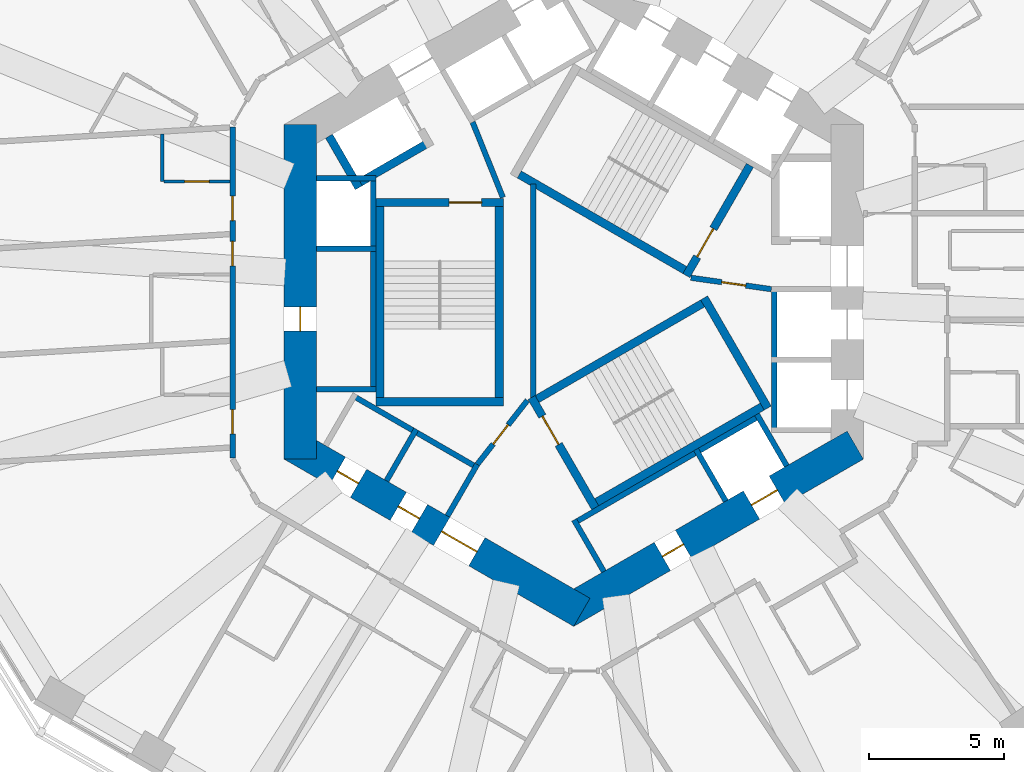
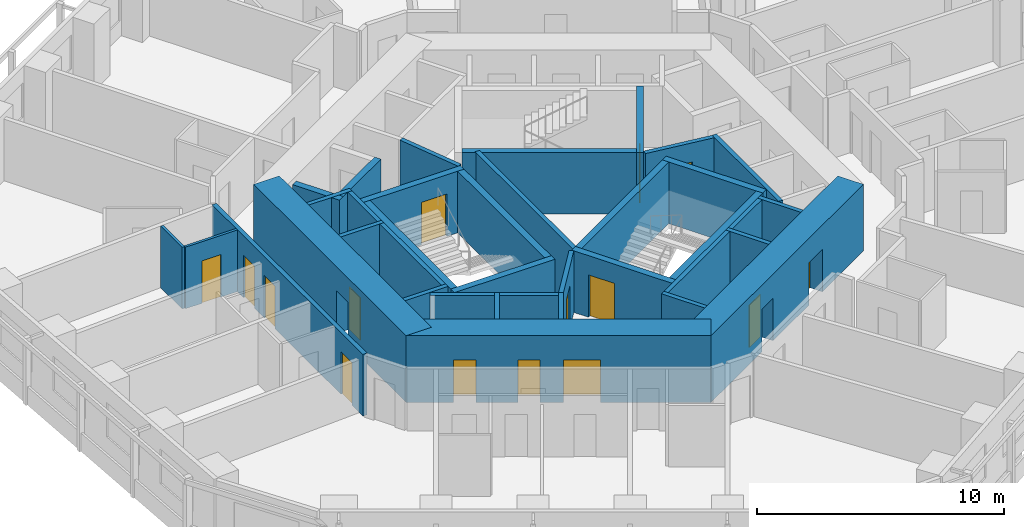
# One storey, part 5 of 12: 34 walls, 15 doors, 15 openings.
"""IFC4 building model written with IfcOpenShell, lengths in metres."""

from ifc_helpers import new_model, si_unit, direction, frame, frame_2d, origin, place, context, subcontext, project, spatial, rectangle, extrude, material, layer, layer_set, type_object, element, fill, save


model = new_model("IFC4")

# Units and contexts
model_context = context("Model", 3, precision=1e-05, world=origin(), true_north=direction((0.0, 1.0)))
body_context = subcontext(model_context, "Body", "Model", "MODEL_VIEW")
ifc_project = project(units=[si_unit("LENGTHUNIT", "METRE"), si_unit("AREAUNIT", "SQUARE_METRE"), si_unit("VOLUMEUNIT", "CUBIC_METRE"), si_unit("PLANEANGLEUNIT", "RADIAN"), si_unit("MASSUNIT", "GRAM", prefix="KILO")], contexts=[model_context])

# Site, building, storey
site_placement = place(None, origin())
site = spatial("IfcSite", under=ifc_project, at=site_placement, CompositionType="ELEMENT")
building_placement = place(site_placement, origin())
building = spatial("IfcBuilding", under=site, at=building_placement, Name="Vanh Sen Convention Tower", CompositionType="ELEMENT")
storey_placement = place(building_placement, frame((0.0, 0.0, 60.5)))
storey = spatial("IfcBuildingStorey", under=building, at=storey_placement, Name="L12", CompositionType="ELEMENT", Elevation=60.5)

# Wall
ifc_material_1 = material(Name="Moisture-resistant gypsum board on steel studs", Category="steel")
ifc_layer_1 = layer(ifc_material_1, 0.1201171875)
ifc_layer_set_1 = layer_set([ifc_layer_1], Name="Moisture-resistant gypsum board on steel studs")
wall_type_1 = type_object("IfcWallType", Name="Bathroom partition 120", PredefinedType="PARTITIONING", material=ifc_layer_set_1)
wall_1_placement = place(storey_placement, frame((-15.199951171875, 4.081298828125, 0.0), z_axis=(0.0, 0.0, 1.0), x_axis=(0.0, 1.0, 0.0)))
element("IfcWall", 1, at=wall_1_placement, inside=storey, type_object=wall_type_1, Name="Bathroom partition 120", PredefinedType="PARTITIONING", context=body_context, shape_type="SweptSolid", body=[
    extrude(rectangle(XDim=1.740966796875, YDim=0.1201171875, at=frame_2d((0.87060546875, 0.0))), origin(), (0.0, 0.0, 1.0), 3.050048828125),
])

# Wall, opening, door
wall_2_placement = place(storey_placement, frame((-12.699951171875, 4.081298828125, 0.0), z_axis=(0.0, 0.0, 1.0), x_axis=(-1.0, 0.0, 0.0)))
wall_2 = element("IfcWall", 2, at=wall_2_placement, inside=storey, type_object=wall_type_1, Name="Bathroom partition 120", PredefinedType="PARTITIONING", context=body_context, shape_type="SweptSolid", body=[
    extrude(rectangle(XDim=2.43994140625, YDim=0.1201171875, at=frame_2d((1.219970703125, 0.0))), origin(), (0.0, 0.0, 1.0), 3.050048828125),
])
opening_1_placement = place(wall_2_placement, frame((0.77001953125, 0.0, 0.0)))
opening_1 = element("IfcOpeningElement", 3, at=opening_1_placement, cuts=wall_2, Name="Opening D10121", PredefinedType="OPENING", context=body_context, shape_type="SweptSolid", body=[
    extrude(rectangle(XDim=0.89990234375, YDim=2.10009765625, at=frame_2d((0.449951171875, 1.050048828125))), frame((0.0, 0.070068359375, 0.0), z_axis=(0.0, -1.0, 0.0), x_axis=(1.0, 0.0, 0.0)), (0.0, 0.0, 1.0), 0.14013671875),
])
ifc_material_2 = material(Name="Laminate door in steel frame", Category="steel")
door_type_1 = type_object("IfcDoorType", Name="En-suite door 900", OperationType="SINGLE_SWING_LEFT", PredefinedType="DOOR", material=ifc_material_2)
door_1_placement = place(opening_1_placement, origin())
door_1 = element("IfcDoor", 4, at=door_1_placement, inside=storey, type_object=door_type_1, Name="En-suite door D10121", OperationType="SINGLE_SWING_LEFT", OverallHeight=2.10009765625, OverallWidth=0.89990234375, PredefinedType="DOOR", context=body_context, shape_type="SweptSolid", body=[
    extrude(rectangle(XDim=0.89990234375, YDim=2.10009765625, at=frame_2d((0.449951171875, 1.050048828125))), frame((0.0, 0.02490234375, 0.0), z_axis=(0.0, -1.0, 0.0), x_axis=(1.0, 0.0, 0.0)), (0.0, 0.0, 1.0), 0.050048828125),
])
fill(opening_1, door_1)

ifc_material_3 = material(Name="Concrete C80/95", Category="concrete")
ifc_layer_2 = layer(ifc_material_3, 1.199951171875)
ifc_layer_set_2 = layer_set([ifc_layer_2], Name="Concrete C80/95")
wall_type_2 = type_object("IfcWallType", Name="Core outer wall 1200 C80/95", PredefinedType="SHEAR", material=ifc_layer_set_2)
wall_3_placement = place(storey_placement, frame((-10.10009765625, 6.177490234375, 0.0), z_axis=(0.0, 0.0, 1.0), x_axis=(0.0, -1.0, 0.0)))
wall_3 = element("IfcWall", 5, at=wall_3_placement, inside=storey, type_object=wall_type_2, Name="Core wall face W L12", PredefinedType="SHEAR", context=body_context, shape_type="SweptSolid", body=[
    extrude(rectangle(XDim=12.35498046875, YDim=1.199951171875, at=frame_2d((6.177490234375, 0.0))), origin(), (0.0, 0.0, 1.0), 3.300048828125),
])
opening_2_placement = place(wall_3_placement, frame((6.7275390625, 0.0, 0.0)))
opening_2 = element("IfcOpeningElement", 6, at=opening_2_placement, cuts=wall_3, Name="Opening D10009", PredefinedType="OPENING", context=body_context, shape_type="SweptSolid", body=[
    extrude(rectangle(XDim=0.89990234375, YDim=2.10009765625, at=frame_2d((0.449951171875, 1.050048828125))), frame((0.0, 0.60986328125, 0.0), z_axis=(0.0, -1.0, 0.0), x_axis=(1.0, 0.0, 0.0)), (0.0, 0.0, 1.0), 1.219970703125),
])
ifc_material_4 = material(Name="Steel S355", Category="steel")
door_type_2 = type_object("IfcDoorType", Name="Plant door 900", OperationType="SINGLE_SWING_LEFT", PredefinedType="DOOR", material=ifc_material_4)
door_2_placement = place(opening_2_placement, origin())
door_2 = element("IfcDoor", 7, at=door_2_placement, inside=storey, type_object=door_type_2, Name="Plant door D10009", OperationType="SINGLE_SWING_LEFT", OverallHeight=2.10009765625, OverallWidth=0.89990234375, PredefinedType="DOOR", context=body_context, shape_type="SweptSolid", body=[
    extrude(rectangle(XDim=0.89990234375, YDim=2.10009765625, at=frame_2d((0.449951171875, 1.050048828125))), frame((0.0, 0.02490234375, 0.0), z_axis=(0.0, -1.0, 0.0), x_axis=(1.0, 0.0, 0.0)), (0.0, 0.0, 1.0), 0.050048828125),
])
fill(opening_2, door_2)

# Wall, openings, doors
wall_4_placement = place(storey_placement, frame((-10.39990234375, -5.657958984375, 0.0), z_axis=(0.0, 0.0, 1.0), x_axis=(0.866021384402, -0.500006961711, 0.0)))
wall_4 = element("IfcWall", 8, at=wall_4_placement, inside=storey, type_object=wall_type_2, Name="Core wall face SW L12", PredefinedType="SHEAR", context=body_context, shape_type="SweptSolid", body=[
    extrude(rectangle(XDim=12.355224609375, YDim=1.199951171875, at=frame_2d((6.177734375, 0.0))), origin(), (0.0, 0.0, 1.0), 3.300048828125),
])
opening_3_placement = place(wall_4_placement, frame((6.377685546875, 0.0, 0.0)))
opening_3 = element("IfcOpeningElement", 9, at=opening_3_placement, cuts=wall_4, Name="Opening D10003", PredefinedType="OPENING", context=body_context, shape_type="SweptSolid", body=[
    extrude(rectangle(XDim=1.5, YDim=2.10009765625, at=frame_2d((0.75, 1.050048828125))), frame((0.0, 0.60986328125, 0.0), z_axis=(0.0, -1.0, 0.0), x_axis=(1.0, 0.0, 0.0)), (0.0, 0.0, 1.0), 1.219970703125),
])
opening_4_placement = place(wall_4_placement, frame((1.927734375, 0.0, 0.0)))
opening_4 = element("IfcOpeningElement", 10, at=opening_4_placement, cuts=wall_4, Name="Opening D10010", PredefinedType="OPENING", context=body_context, shape_type="SweptSolid", body=[
    extrude(rectangle(XDim=0.89990234375, YDim=2.10009765625, at=frame_2d((0.449951171875, 1.050048828125))), frame((0.0, 0.60986328125, 0.0), z_axis=(0.0, -1.0, 0.0), x_axis=(1.0, 0.0, 0.0)), (0.0, 0.0, 1.0), 1.219970703125),
])
opening_5_placement = place(wall_4_placement, frame((4.527587890625, 0.0, 0.0)))
opening_5 = element("IfcOpeningElement", 11, at=opening_5_placement, cuts=wall_4, Name="Opening D10011", PredefinedType="OPENING", context=body_context, shape_type="SweptSolid", body=[
    extrude(rectangle(XDim=0.89990234375, YDim=2.10009765625, at=frame_2d((0.449951171875, 1.050048828125))), frame((0.0, 0.60986328125, 0.0), z_axis=(0.0, -1.0, 0.0), x_axis=(1.0, 0.0, 0.0)), (0.0, 0.0, 1.0), 1.219970703125),
])
door_3_placement = place(opening_4_placement, origin())
door_3 = element("IfcDoor", 12, at=door_3_placement, inside=storey, type_object=door_type_2, Name="Plant door D10010", OperationType="SINGLE_SWING_LEFT", OverallHeight=2.10009765625, OverallWidth=0.89990234375, PredefinedType="DOOR", context=body_context, shape_type="SweptSolid", body=[
    extrude(rectangle(XDim=0.89990234375, YDim=2.10009765625, at=frame_2d((0.449951171875, 1.050048828125))), frame((0.0, 0.02490234375, 0.0), z_axis=(0.0, -1.0, 0.0), x_axis=(1.0, 0.0, 0.0)), (0.0, 0.0, 1.0), 0.050048828125),
])
fill(opening_4, door_3)
door_4_placement = place(opening_5_placement, origin())
door_4 = element("IfcDoor", 13, at=door_4_placement, inside=storey, type_object=door_type_2, Name="Plant door D10011", OperationType="SINGLE_SWING_LEFT", OverallHeight=2.10009765625, OverallWidth=0.89990234375, PredefinedType="DOOR", context=body_context, shape_type="SweptSolid", body=[
    extrude(rectangle(XDim=0.89990234375, YDim=2.10009765625, at=frame_2d((0.449951171875, 1.050048828125))), frame((0.0, 0.02490234375, 0.0), z_axis=(0.0, -1.0, 0.0), x_axis=(1.0, 0.0, 0.0)), (0.0, 0.0, 1.0), 0.050048828125),
])
fill(opening_5, door_4)
door_type_3 = type_object("IfcDoorType", Name="Stair lobby door 1500", OperationType="DOUBLE_DOOR_SINGLE_SWING", PredefinedType="DOOR", material=ifc_material_4)
door_5_placement = place(opening_3_placement, origin())
door_5 = element("IfcDoor", 14, at=door_5_placement, inside=storey, type_object=door_type_3, Name="Stair lobby door D10003", OperationType="DOUBLE_DOOR_SINGLE_SWING", OverallHeight=2.10009765625, OverallWidth=1.5, PredefinedType="DOOR", context=body_context, shape_type="SweptSolid", body=[
    extrude(rectangle(XDim=1.5, YDim=2.10009765625, at=frame_2d((0.75, 1.050048828125))), frame((0.0, 0.02490234375, 0.0), z_axis=(0.0, -1.0, 0.0), x_axis=(1.0, 0.0, 0.0)), (0.0, 0.0, 1.0), 0.050048828125),
])
fill(opening_3, door_5)

wall_5_placement = place(storey_placement, frame((-0.300048828125, -11.835693359375, 0.0), z_axis=(0.0, 0.0, 1.0), x_axis=(0.866021384402, 0.500006961711, 0.0)))
wall_5 = element("IfcWall", 15, at=wall_5_placement, inside=storey, type_object=wall_type_2, Name="Core wall face SE L12", PredefinedType="SHEAR", context=body_context, shape_type="SweptSolid", body=[
    extrude(rectangle(XDim=12.355224609375, YDim=1.199951171875, at=frame_2d((6.177734375, 0.0))), origin(), (0.0, 0.0, 1.0), 3.300048828125),
])
opening_6_placement = place(wall_5_placement, frame((4.127685546875, 0.0, 0.0)))
opening_6 = element("IfcOpeningElement", 16, at=opening_6_placement, cuts=wall_5, Name="Opening D10012", PredefinedType="OPENING", context=body_context, shape_type="SweptSolid", body=[
    extrude(rectangle(XDim=0.89990234375, YDim=2.10009765625, at=frame_2d((0.449951171875, 1.050048828125))), frame((0.0, 0.60986328125, 0.0), z_axis=(0.0, -1.0, 0.0), x_axis=(1.0, 0.0, 0.0)), (0.0, 0.0, 1.0), 1.219970703125),
])
opening_7_placement = place(wall_5_placement, frame((7.927734375, 0.0, 0.0)))
opening_7 = element("IfcOpeningElement", 17, at=opening_7_placement, cuts=wall_5, Name="Opening LD-SV1", PredefinedType="OPENING", context=body_context, shape_type="SweptSolid", body=[
    extrude(rectangle(XDim=1.10009765625, YDim=2.10009765625, at=frame_2d((0.550048828125, 1.050048828125))), frame((0.0, 0.60986328125, 0.0), z_axis=(0.0, -1.0, 0.0), x_axis=(1.0, 0.0, 0.0)), (0.0, 0.0, 1.0), 1.219970703125),
])
ifc_material_5 = material(Name="Stainless steel", Category="steel")
door_type_4 = type_object("IfcDoorType", Name="Lift landing door 1100", OperationType="DOUBLE_DOOR_SLIDING", PredefinedType="DOOR", material=ifc_material_5)
door_6_placement = place(opening_7_placement, origin())
door_6 = element("IfcDoor", 18, at=door_6_placement, inside=storey, type_object=door_type_4, Name="Lift SV1 landing door LD-SV1", OperationType="DOUBLE_DOOR_SLIDING", OverallHeight=2.10009765625, OverallWidth=1.10009765625, PredefinedType="DOOR", context=body_context, shape_type="SweptSolid", body=[
    extrude(rectangle(XDim=1.10009765625, YDim=2.10009765625, at=frame_2d((0.550048828125, 1.050048828125))), frame((0.0, 0.02490234375, 0.0), z_axis=(0.0, -1.0, 0.0), x_axis=(1.0, 0.0, 0.0)), (0.0, 0.0, 1.0), 0.050048828125),
])
fill(opening_7, door_6)
door_7_placement = place(opening_6_placement, origin())
door_7 = element("IfcDoor", 19, at=door_7_placement, inside=storey, type_object=door_type_2, Name="Plant door D10012", OperationType="SINGLE_SWING_LEFT", OverallHeight=2.10009765625, OverallWidth=0.89990234375, PredefinedType="DOOR", context=body_context, shape_type="SweptSolid", body=[
    extrude(rectangle(XDim=0.89990234375, YDim=2.10009765625, at=frame_2d((0.449951171875, 1.050048828125))), frame((0.0, 0.02490234375, 0.0), z_axis=(0.0, -1.0, 0.0), x_axis=(1.0, 0.0, 0.0)), (0.0, 0.0, 1.0), 0.050048828125),
])
fill(opening_6, door_7)

# Wall
ifc_material_6 = material(Name="Masonry blockwork", Category="masonry")
ifc_layer_3 = layer(ifc_material_6, 0.199951171875)
ifc_layer_set_3 = layer_set([ifc_layer_3], Name="Masonry blockwork")
wall_type_3 = type_object("IfcWallType", Name="Core partition 200", PredefinedType="PARTITIONING", material=ifc_layer_set_3)
wall_6_placement = place(storey_placement, frame((-1.5, -3.98828125, 0.0), z_axis=(0.0, 0.0, 1.0), x_axis=(0.0, 1.0, 0.0)))
element("IfcWall", 20, at=wall_6_placement, inside=storey, type_object=wall_type_3, Name="Core partition L12", PredefinedType="PARTITIONING", context=body_context, shape_type="SweptSolid", body=[
    extrude(rectangle(XDim=7.9765625, YDim=0.199951171875, at=frame_2d((3.98828125, 0.0))), origin(), (0.0, 0.0, 1.0), 3.050048828125),
])

# Wall, openings, doors
ifc_material_7 = material(Name="Gypsum board on steel studs with mineral wool", Category="steel")
ifc_layer_4 = layer(ifc_material_7, 0.199951171875)
ifc_layer_set_4 = layer_set([ifc_layer_4], Name="Gypsum board on steel studs with mineral wool")
wall_type_4 = type_object("IfcWallType", Name="Corridor partition wall 200", PredefinedType="PARTITIONING", material=ifc_layer_set_4)
wall_7_placement = place(storey_placement, frame((-12.60009765625, 6.081298828125, 0.0), z_axis=(0.0, 0.0, 1.0), x_axis=(0.0, -1.0, 0.0)))
wall_7 = element("IfcWall", 21, at=wall_7_placement, inside=storey, type_object=wall_type_4, Name="Corridor partition wall 200", PredefinedType="PARTITIONING", context=body_context, shape_type="SweptSolid", body=[
    extrude(rectangle(XDim=12.218994140625, YDim=0.199951171875, at=frame_2d((6.109375, 0.0))), origin(), (0.0, 0.0, 1.0), 3.050048828125),
])
opening_8_placement = place(wall_7_placement, frame((2.5458984375, 0.0, 0.0)))
opening_8 = element("IfcOpeningElement", 22, at=opening_8_placement, cuts=wall_7, Name="Opening D10120", PredefinedType="OPENING", context=body_context, shape_type="SweptSolid", body=[
    extrude(rectangle(XDim=0.89990234375, YDim=2.10009765625, at=frame_2d((0.449951171875, 1.050048828125))), frame((0.0, 0.10986328125, 0.0), z_axis=(0.0, -1.0, 0.0), x_axis=(1.0, 0.0, 0.0)), (0.0, 0.0, 1.0), 0.219970703125),
])
opening_9_placement = place(wall_7_placement, frame((4.216796875, 0.0, 0.0)))
opening_9 = element("IfcOpeningElement", 23, at=opening_9_placement, cuts=wall_7, Name="Opening D10122", PredefinedType="OPENING", context=body_context, shape_type="SweptSolid", body=[
    extrude(rectangle(XDim=0.89990234375, YDim=2.10009765625, at=frame_2d((0.449951171875, 1.050048828125))), frame((0.0, 0.10986328125, 0.0), z_axis=(0.0, -1.0, 0.0), x_axis=(1.0, 0.0, 0.0)), (0.0, 0.0, 1.0), 0.219970703125),
])
opening_10_placement = place(wall_7_placement, frame((10.4296875, 0.0, 0.0)))
opening_10 = element("IfcOpeningElement", 24, at=opening_10_placement, cuts=wall_7, Name="Opening D10124", PredefinedType="OPENING", context=body_context, shape_type="SweptSolid", body=[
    extrude(rectangle(XDim=0.89990234375, YDim=2.10009765625, at=frame_2d((0.449951171875, 1.050048828125))), frame((0.0, 0.10986328125, 0.0), z_axis=(0.0, -1.0, 0.0), x_axis=(1.0, 0.0, 0.0)), (0.0, 0.0, 1.0), 0.219970703125),
])
ifc_material_8 = material(Name="Timber fire door in steel frame", Category="steel")
door_type_5 = type_object("IfcDoorType", Name="Guest room door 900", OperationType="SINGLE_SWING_LEFT", PredefinedType="DOOR", material=ifc_material_8)
door_8_placement = place(opening_8_placement, origin())
door_8 = element("IfcDoor", 25, at=door_8_placement, inside=storey, type_object=door_type_5, Name="Hotel guest room door D10120", OperationType="SINGLE_SWING_LEFT", OverallHeight=2.10009765625, OverallWidth=0.89990234375, PredefinedType="DOOR", context=body_context, shape_type="SweptSolid", body=[
    extrude(rectangle(XDim=0.89990234375, YDim=2.10009765625, at=frame_2d((0.449951171875, 1.050048828125))), frame((0.0, 0.02490234375, 0.0), z_axis=(0.0, -1.0, 0.0), x_axis=(1.0, 0.0, 0.0)), (0.0, 0.0, 1.0), 0.050048828125),
])
fill(opening_8, door_8)
door_9_placement = place(opening_9_placement, origin())
door_9 = element("IfcDoor", 26, at=door_9_placement, inside=storey, type_object=door_type_5, Name="Hotel guest room door D10122", OperationType="SINGLE_SWING_LEFT", OverallHeight=2.10009765625, OverallWidth=0.89990234375, PredefinedType="DOOR", context=body_context, shape_type="SweptSolid", body=[
    extrude(rectangle(XDim=0.89990234375, YDim=2.10009765625, at=frame_2d((0.449951171875, 1.050048828125))), frame((0.0, 0.02490234375, 0.0), z_axis=(0.0, -1.0, 0.0), x_axis=(1.0, 0.0, 0.0)), (0.0, 0.0, 1.0), 0.050048828125),
])
fill(opening_9, door_9)
door_10_placement = place(opening_10_placement, origin())
door_10 = element("IfcDoor", 27, at=door_10_placement, inside=storey, type_object=door_type_5, Name="Hotel guest room door D10124", OperationType="SINGLE_SWING_LEFT", OverallHeight=2.10009765625, OverallWidth=0.89990234375, PredefinedType="DOOR", context=body_context, shape_type="SweptSolid", body=[
    extrude(rectangle(XDim=0.89990234375, YDim=2.10009765625, at=frame_2d((0.449951171875, 1.050048828125))), frame((0.0, 0.02490234375, 0.0), z_axis=(0.0, -1.0, 0.0), x_axis=(1.0, 0.0, 0.0)), (0.0, 0.0, 1.0), 0.050048828125),
])
fill(opening_10, door_10)

# Walls
ifc_material_9 = material(Name="Concrete C60/75", Category="concrete")
ifc_layer_5 = layer(ifc_material_9, 0.300048828125)
ifc_layer_set_5 = layer_set([ifc_layer_5], Name="Concrete C60/75")
wall_type_5 = type_object("IfcWallType", Name="Fire-fighting lift shaft wall 300", PredefinedType="SHEAR", material=ifc_layer_set_5)
wall_8_placement = place(storey_placement, frame((-5.240478515625, 5.576904296875, 0.0), z_axis=(0.0, 0.0, 1.0), x_axis=(-0.866014461049, -0.500018952895, 0.0)))
element("IfcWall", 28, at=wall_8_placement, inside=storey, type_object=wall_type_5, Name="Fire-fighting lift shaft wall L12", PredefinedType="SHEAR", context=body_context, shape_type="SweptSolid", body=[
    extrude(rectangle(XDim=3.349853515625, YDim=0.300048828125, at=frame_2d((1.6748046875, 0.0))), origin(), (0.0, 0.0, 1.0), 3.050048828125),
])
wall_9_placement = place(storey_placement, frame((-7.936767578125, 3.846923828125, 0.0), z_axis=(0.0, 0.0, 1.0), x_axis=(-0.50002983664, 0.866008176907, 0.0)))
element("IfcWall", 29, at=wall_9_placement, inside=storey, type_object=wall_type_5, Name="Fire-fighting lift shaft wall L12", PredefinedType="SHEAR", context=body_context, shape_type="SweptSolid", body=[
    extrude(rectangle(XDim=2.199951171875, YDim=0.300048828125, at=frame_2d((1.10009765625, 0.0))), origin(), (0.0, 0.0, 1.0), 3.050048828125),
])
ifc_material_10 = material(Name="Concrete C40/50", Category="concrete")
ifc_layer_6 = layer(ifc_material_10, 0.199951171875)
ifc_layer_set_6 = layer_set([ifc_layer_6], Name="Concrete C40/50")
wall_type_6 = type_object("IfcWallType", Name="Lift shaft wall 200", PredefinedType="PARTITIONING", material=ifc_layer_set_6)
wall_10_placement = place(storey_placement, frame((7.39990234375, -5.199951171875, 0.0), z_axis=(0.0, 0.0, 1.0), x_axis=(0.0, 1.0, 0.0)))
element("IfcWall", 30, at=wall_10_placement, inside=storey, type_object=wall_type_6, Name="Lift shaft wall L12", PredefinedType="PARTITIONING", context=body_context, shape_type="SweptSolid", body=[
    extrude(rectangle(XDim=5.39990234375, YDim=0.199951171875, at=frame_2d((2.699951171875, 0.0))), origin(), (0.0, 0.0, 1.0), 3.050048828125),
])
wall_11_placement = place(storey_placement, frame((-7.39990234375, 4.300048828125, 0.0), z_axis=(0.0, 0.0, 1.0), x_axis=(0.0, -1.0, 0.0)))
element("IfcWall", 31, at=wall_11_placement, inside=storey, type_object=wall_type_6, Name="Lift shaft wall L12", PredefinedType="PARTITIONING", context=body_context, shape_type="SweptSolid", body=[
    extrude(rectangle(XDim=8.0, YDim=0.199951171875, at=frame_2d((4.0, 0.0))), origin(), (0.0, 0.0, 1.0), 3.050048828125),
])
for number, where, z_axis, x_axis, name in (
    (32, (-7.300048828125, 4.199951171875, 0.0), (0.0, 0.0, 1.0), (-1.0, 0.0, 0.0), "Lift shaft wall L12"),
    (33, (-7.300048828125, 1.60009765625, 0.0), (0.0, 0.0, 1.0), (-1.0, 0.0, 0.0), "Lift shaft wall L12"),
    (34, (-7.300048828125, -3.60009765625, 0.0), (0.0, 0.0, 1.0), (-1.0, 0.0, 0.0), "Lift shaft wall L12"),
):
    element("IfcWall", number, at=place(storey_placement, frame(where, z_axis=z_axis, x_axis=x_axis)), inside=storey, type_object=wall_type_6, Name=name, PredefinedType="PARTITIONING", context=body_context, shape_type="SweptSolid", body=[
        extrude(rectangle(XDim=2.199951171875, YDim=0.199951171875, at=frame_2d((1.10009765625, 0.0))), origin(), (0.0, 0.0, 1.0), 3.050048828125),
    ])
wall_12_placement = place(storey_placement, frame((-8.203369140625, -3.80859375, 0.0), z_axis=(0.0, 0.0, 1.0), x_axis=(0.866028230842, -0.499995103361, 0.0)))
element("IfcWall", 35, at=wall_12_placement, inside=storey, type_object=wall_type_6, Name="Lift shaft wall L12", PredefinedType="PARTITIONING", context=body_context, shape_type="SweptSolid", body=[
    extrude(rectangle(XDim=5.39990234375, YDim=0.199951171875, at=frame_2d((2.699951171875, 0.0))), origin(), (0.0, 0.0, 1.0), 3.050048828125),
])
wall_13_placement = place(storey_placement, frame((-5.815185546875, -5.072021484375, 0.0), z_axis=(0.0, 0.0, 1.0), x_axis=(-0.499946605688, -0.86605622881, 0.0)))
element("IfcWall", 36, at=wall_13_placement, inside=storey, type_object=wall_type_6, Name="Lift shaft wall L12", PredefinedType="PARTITIONING", context=body_context, shape_type="SweptSolid", body=[
    extrude(rectangle(XDim=2.199951171875, YDim=0.199951171875, at=frame_2d((1.10009765625, 0.0))), origin(), (0.0, 0.0, 1.0), 3.050048828125),
])
wall_14_placement = place(storey_placement, frame((-3.5634765625, -6.3720703125, 0.0), z_axis=(0.0, 0.0, 1.0), x_axis=(-0.499994660107, -0.866028486751, 0.0)))
element("IfcWall", 37, at=wall_14_placement, inside=storey, type_object=wall_type_6, Name="Lift shaft wall L12", PredefinedType="PARTITIONING", context=body_context, shape_type="SweptSolid", body=[
    extrude(rectangle(XDim=2.19970703125, YDim=0.199951171875, at=frame_2d((1.099853515625, 0.0))), origin(), (0.0, 0.0, 1.0), 3.050048828125),
])
wall_15_placement = place(storey_placement, frame((-0.02392578125, -8.55859375, 0.0), z_axis=(0.0, 0.0, 1.0), x_axis=(0.866026010844, 0.49999894854, 0.0)))
element("IfcWall", 38, at=wall_15_placement, inside=storey, type_object=wall_type_6, Name="Lift shaft wall L12", PredefinedType="PARTITIONING", context=body_context, shape_type="SweptSolid", body=[
    extrude(rectangle(XDim=8.0, YDim=0.199951171875, at=frame_2d((4.0, 0.0))), origin(), (0.0, 0.0, 1.0), 3.050048828125),
])
for number, where, z_axis, x_axis, name in (
    (39, (0.0126953125, -8.422119140625, 0.0), (0.0, 0.0, 1.0), (0.500077893725, -0.86598042715, 0.0), "Lift shaft wall L12"),
    (40, (4.51611328125, -5.822021484375, 0.0), (0.0, 0.0, 1.0), (0.499946605688, -0.86605622881, 0.0), "Lift shaft wall L12"),
    (41, (6.767578125, -4.52197265625, 0.0), (0.0, 0.0, 1.0), (0.50002983664, -0.866008176907, 0.0), "Lift shaft wall L12"),
):
    element("IfcWall", number, at=place(storey_placement, frame(where, z_axis=z_axis, x_axis=x_axis)), inside=storey, type_object=wall_type_6, Name=name, PredefinedType="PARTITIONING", context=body_context, shape_type="SweptSolid", body=[
        extrude(rectangle(XDim=2.199951171875, YDim=0.199951171875, at=frame_2d((1.10009765625, 0.0))), origin(), (0.0, 0.0, 1.0), 3.050048828125),
    ])

# Wall, opening, door
ifc_layer_7 = layer(ifc_material_10, 0.199951171875)
ifc_layer_set_7 = layer_set([ifc_layer_7], Name="Concrete C40/50")
wall_type_7 = type_object("IfcWallType", Name="Stair lobby wall 200", PredefinedType="PARTITIONING", material=ifc_layer_set_7)
wall_16_placement = place(storey_placement, frame((4.327392578125, 0.52099609375, 0.0), z_axis=(0.0, 0.0, 1.0), x_axis=(0.990124376366, -0.14019172346, 0.0)))
wall_16 = element("IfcWall", 42, at=wall_16_placement, inside=storey, type_object=wall_type_7, Name="Stair lobby wall L12", PredefinedType="PARTITIONING", context=body_context, shape_type="SweptSolid", body=[
    extrude(rectangle(XDim=3.002197265625, YDim=0.199951171875, at=frame_2d((1.5009765625, 0.0))), origin(), (0.0, 0.0, 1.0), 3.050048828125),
])
opening_11_placement = place(wall_16_placement, frame((1.14990234375, 0.0, 0.0)))
opening_11 = element("IfcOpeningElement", 43, at=opening_11_placement, cuts=wall_16, Name="Opening D10007", PredefinedType="OPENING", context=body_context, shape_type="SweptSolid", body=[
    extrude(rectangle(XDim=0.89990234375, YDim=2.10009765625, at=frame_2d((0.449951171875, 1.050048828125))), frame((0.0, 0.10986328125, 0.0), z_axis=(0.0, -1.0, 0.0), x_axis=(1.0, 0.0, 0.0)), (0.0, 0.0, 1.0), 0.219970703125),
])
door_11_placement = place(opening_11_placement, origin())
door_11 = element("IfcDoor", 44, at=door_11_placement, inside=storey, type_object=door_type_2, Name="Plant door D10007", OperationType="SINGLE_SWING_LEFT", OverallHeight=2.10009765625, OverallWidth=0.89990234375, PredefinedType="DOOR", context=body_context, shape_type="SweptSolid", body=[
    extrude(rectangle(XDim=0.89990234375, YDim=2.10009765625, at=frame_2d((0.449951171875, 1.050048828125))), frame((0.0, 0.02490234375, 0.0), z_axis=(0.0, -1.0, 0.0), x_axis=(1.0, 0.0, 0.0)), (0.0, 0.0, 1.0), 0.050048828125),
])
fill(opening_11, door_11)

# Wall
wall_17_placement = place(storey_placement, frame((-2.614990234375, 3.487060546875, 0.0), z_axis=(0.0, 0.0, 1.0), x_axis=(-0.373576831041, 0.92759924068, 0.0)))
element("IfcWall", 45, at=wall_17_placement, inside=storey, type_object=wall_type_7, Name="Stair lobby wall L12", PredefinedType="PARTITIONING", context=body_context, shape_type="SweptSolid", body=[
    extrude(rectangle(XDim=3.002197265625, YDim=0.199951171875, at=frame_2d((1.5009765625, 0.0))), origin(), (0.0, 0.0, 1.0), 3.050048828125),
])

# Wall, opening, door
wall_18_placement = place(storey_placement, frame((-1.71240234375, -4.00830078125, 0.0), z_axis=(0.0, 0.0, 1.0), x_axis=(-0.616549420702, -0.787316208287, 0.0)))
wall_18 = element("IfcWall", 46, at=wall_18_placement, inside=storey, type_object=wall_type_7, Name="Stair lobby wall L12", PredefinedType="PARTITIONING", context=body_context, shape_type="SweptSolid", body=[
    extrude(rectangle(XDim=3.002197265625, YDim=0.199951171875, at=frame_2d((1.5009765625, 0.0))), origin(), (0.0, 0.0, 1.0), 3.050048828125),
])
opening_12_placement = place(wall_18_placement, frame((1.14990234375, 0.0, 0.0)))
opening_12 = element("IfcOpeningElement", 47, at=opening_12_placement, cuts=wall_18, Name="Opening D10008", PredefinedType="OPENING", context=body_context, shape_type="SweptSolid", body=[
    extrude(rectangle(XDim=0.89990234375, YDim=2.10009765625, at=frame_2d((0.449951171875, 1.050048828125))), frame((0.0, 0.10986328125, 0.0), z_axis=(0.0, -1.0, 0.0), x_axis=(1.0, 0.0, 0.0)), (0.0, 0.0, 1.0), 0.219970703125),
])
door_12_placement = place(opening_12_placement, origin())
door_12 = element("IfcDoor", 48, at=door_12_placement, inside=storey, type_object=door_type_2, Name="Plant door D10008", OperationType="SINGLE_SWING_LEFT", OverallHeight=2.10009765625, OverallWidth=0.89990234375, PredefinedType="DOOR", context=body_context, shape_type="SweptSolid", body=[
    extrude(rectangle(XDim=0.89990234375, YDim=2.10009765625, at=frame_2d((0.449951171875, 1.050048828125))), frame((0.0, 0.02490234375, 0.0), z_axis=(0.0, -1.0, 0.0), x_axis=(1.0, 0.0, 0.0)), (0.0, 0.0, 1.0), 0.050048828125),
])
fill(opening_12, door_12)

ifc_layer_8 = layer(ifc_material_9, 0.300048828125)
ifc_layer_set_8 = layer_set([ifc_layer_8], Name="Concrete C60/75")
wall_type_8 = type_object("IfcWallType", Name="Stair wall 300", PredefinedType="SHEAR", material=ifc_layer_set_8)
wall_19_placement = place(storey_placement, frame((4.157958984375, 0.601806640625, 0.0), z_axis=(0.0, 0.0, 1.0), x_axis=(0.499977259774, 0.866038532462, 0.0)))
wall_19 = element("IfcWall", 49, at=wall_19_placement, inside=storey, type_object=wall_type_8, Name="Stair wall L12", PredefinedType="SHEAR", context=body_context, shape_type="SweptSolid", body=[
    extrude(rectangle(XDim=4.699951171875, YDim=0.300048828125, at=frame_2d((2.35009765625, 0.0))), origin(), (0.0, 0.0, 1.0), 3.050048828125),
])
opening_13_placement = place(wall_19_placement, frame((0.800048828125, 0.0, 0.0)))
opening_13 = element("IfcOpeningElement", 50, at=opening_13_placement, cuts=wall_19, Name="Opening D10004", PredefinedType="OPENING", context=body_context, shape_type="SweptSolid", body=[
    extrude(rectangle(XDim=1.199951171875, YDim=2.10009765625, at=frame_2d((0.60009765625, 1.050048828125))), frame((0.0, 0.159912109375, 0.0), z_axis=(0.0, -1.0, 0.0), x_axis=(1.0, 0.0, 0.0)), (0.0, 0.0, 1.0), 0.320068359375),
])
door_type_6 = type_object("IfcDoorType", Name="Stair door 1200", OperationType="SINGLE_SWING_RIGHT", PredefinedType="DOOR", material=ifc_material_4)
door_13_placement = place(opening_13_placement, origin())
door_13 = element("IfcDoor", 51, at=door_13_placement, inside=storey, type_object=door_type_6, Name="Stair ST1 door D10004", OperationType="SINGLE_SWING_RIGHT", OverallHeight=2.10009765625, OverallWidth=1.199951171875, PredefinedType="DOOR", context=body_context, shape_type="SweptSolid", body=[
    extrude(rectangle(XDim=1.199951171875, YDim=2.10009765625, at=frame_2d((0.60009765625, 1.050048828125))), frame((0.0, 0.02490234375, 0.0), z_axis=(0.0, -1.0, 0.0), x_axis=(1.0, 0.0, 0.0)), (0.0, 0.0, 1.0), 0.050048828125),
])
fill(opening_13, door_13)

# Wall
wall_20_placement = place(storey_placement, frame((4.10302734375, 0.806640625, 0.0), z_axis=(0.0, 0.0, 1.0), x_axis=(-0.866027801685, 0.499995846692, 0.0)))
element("IfcWall", 52, at=wall_20_placement, inside=storey, type_object=wall_type_8, Name="Stair wall L12", PredefinedType="SHEAR", context=body_context, shape_type="SweptSolid", body=[
    extrude(rectangle(XDim=7.06005859375, YDim=0.300048828125, at=frame_2d((3.530029296875, 0.0))), origin(), (0.0, 0.0, 1.0), 3.050048828125),
])

# Wall, opening, door
wall_21_placement = place(storey_placement, frame((-2.60009765625, 3.300048828125, 0.0), z_axis=(0.0, 0.0, 1.0), x_axis=(-1.0, 0.0, 0.0)))
wall_21 = element("IfcWall", 53, at=wall_21_placement, inside=storey, type_object=wall_type_8, Name="Stair wall L12", PredefinedType="SHEAR", context=body_context, shape_type="SweptSolid", body=[
    extrude(rectangle(XDim=4.699951171875, YDim=0.300048828125, at=frame_2d((2.35009765625, 0.0))), origin(), (0.0, 0.0, 1.0), 3.050048828125),
])
opening_14_placement = place(wall_21_placement, frame((0.800048828125, 0.0, 0.0)))
opening_14 = element("IfcOpeningElement", 54, at=opening_14_placement, cuts=wall_21, Name="Opening D10005", PredefinedType="OPENING", context=body_context, shape_type="SweptSolid", body=[
    extrude(rectangle(XDim=1.199951171875, YDim=2.10009765625, at=frame_2d((0.60009765625, 1.050048828125))), frame((0.0, 0.159912109375, 0.0), z_axis=(0.0, -1.0, 0.0), x_axis=(1.0, 0.0, 0.0)), (0.0, 0.0, 1.0), 0.320068359375),
])
door_14_placement = place(opening_14_placement, origin())
door_14 = element("IfcDoor", 55, at=door_14_placement, inside=storey, type_object=door_type_6, Name="Stair ST2 door D10005", OperationType="SINGLE_SWING_RIGHT", OverallHeight=2.10009765625, OverallWidth=1.199951171875, PredefinedType="DOOR", context=body_context, shape_type="SweptSolid", body=[
    extrude(rectangle(XDim=1.199951171875, YDim=2.10009765625, at=frame_2d((0.60009765625, 1.050048828125))), frame((0.0, 0.02490234375, 0.0), z_axis=(0.0, -1.0, 0.0), x_axis=(1.0, 0.0, 0.0)), (0.0, 0.0, 1.0), 0.050048828125),
])
fill(opening_14, door_14)

# Walls
wall_22_placement = place(storey_placement, frame((-2.60009765625, -4.06005859375, 0.0), z_axis=(0.0, 0.0, 1.0), x_axis=(-1.0, 0.0, 0.0)))
element("IfcWall", 56, at=wall_22_placement, inside=storey, type_object=wall_type_8, Name="Stair wall L12", PredefinedType="SHEAR", context=body_context, shape_type="SweptSolid", body=[
    extrude(rectangle(XDim=4.699951171875, YDim=0.300048828125, at=frame_2d((2.35009765625, 0.0))), origin(), (0.0, 0.0, 1.0), 3.050048828125),
])
for number, where, z_axis, x_axis, name in (
    (57, (-2.75, 3.14990234375, 0.0), (0.0, 0.0, 1.0), (0.0, -1.0, 0.0), "Stair wall L12"),
    (58, (-7.14990234375, 3.14990234375, 0.0), (0.0, 0.0, 1.0), (0.0, -1.0, 0.0), "Stair wall L12"),
):
    element("IfcWall", number, at=place(storey_placement, frame(where, z_axis=z_axis, x_axis=x_axis)), inside=storey, type_object=wall_type_8, Name=name, PredefinedType="SHEAR", context=body_context, shape_type="SweptSolid", body=[
        extrude(rectangle(XDim=7.059814453125, YDim=0.300048828125, at=frame_2d((3.52978515625, 0.0))), origin(), (0.0, 0.0, 1.0), 3.050048828125),
    ])

# Wall, opening, door
wall_23_placement = place(storey_placement, frame((-1.557861328125, -3.901611328125, 0.0), z_axis=(0.0, 0.0, 1.0), x_axis=(0.499977259774, -0.866038532462, 0.0)))
wall_23 = element("IfcWall", 59, at=wall_23_placement, inside=storey, type_object=wall_type_8, Name="Stair wall L12", PredefinedType="SHEAR", context=body_context, shape_type="SweptSolid", body=[
    extrude(rectangle(XDim=4.699951171875, YDim=0.300048828125, at=frame_2d((2.35009765625, 0.0))), origin(), (0.0, 0.0, 1.0), 3.050048828125),
])
opening_15_placement = place(wall_23_placement, frame((0.800048828125, 0.0, 0.0)))
opening_15 = element("IfcOpeningElement", 60, at=opening_15_placement, cuts=wall_23, Name="Opening D10006", PredefinedType="OPENING", context=body_context, shape_type="SweptSolid", body=[
    extrude(rectangle(XDim=1.199951171875, YDim=2.10009765625, at=frame_2d((0.60009765625, 1.050048828125))), frame((0.0, 0.159912109375, 0.0), z_axis=(0.0, -1.0, 0.0), x_axis=(1.0, 0.0, 0.0)), (0.0, 0.0, 1.0), 0.320068359375),
])
door_15_placement = place(opening_15_placement, origin())
door_15 = element("IfcDoor", 61, at=door_15_placement, inside=storey, type_object=door_type_6, Name="Stair ST3 door D10006", OperationType="SINGLE_SWING_RIGHT", OverallHeight=2.10009765625, OverallWidth=1.199951171875, PredefinedType="DOOR", context=body_context, shape_type="SweptSolid", body=[
    extrude(rectangle(XDim=1.199951171875, YDim=2.10009765625, at=frame_2d((0.60009765625, 1.050048828125))), frame((0.0, 0.02490234375, 0.0), z_axis=(0.0, -1.0, 0.0), x_axis=(1.0, 0.0, 0.0)), (0.0, 0.0, 1.0), 0.050048828125),
])
fill(opening_15, door_15)

# Walls
wall_24_placement = place(storey_placement, frame((4.816162109375, -0.2216796875, 0.0), z_axis=(0.0, 0.0, 1.0), x_axis=(0.499977259774, -0.866038532462, 0.0)))
element("IfcWall", 62, at=wall_24_placement, inside=storey, type_object=wall_type_8, Name="Stair wall L12", PredefinedType="SHEAR", context=body_context, shape_type="SweptSolid", body=[
    extrude(rectangle(XDim=4.699951171875, YDim=0.300048828125, at=frame_2d((2.35009765625, 0.0))), origin(), (0.0, 0.0, 1.0), 3.050048828125),
])
for number, where, z_axis, x_axis, name in (
    (63, (-1.35302734375, -3.95654296875, 0.0), (0.0, 0.0, 1.0), (0.866027801685, 0.499995846692, 0.0), "Stair wall L12"),
    (64, (0.846923828125, -7.76708984375, 0.0), (0.0, 0.0, 1.0), (0.866027801685, 0.499995846692, 0.0), "Stair wall L12"),
):
    element("IfcWall", number, at=place(storey_placement, frame(where, z_axis=z_axis, x_axis=x_axis)), inside=storey, type_object=wall_type_8, Name=name, PredefinedType="SHEAR", context=body_context, shape_type="SweptSolid", body=[
        extrude(rectangle(XDim=7.06005859375, YDim=0.300048828125, at=frame_2d((3.530029296875, 0.0))), origin(), (0.0, 0.0, 1.0), 3.050048828125),
    ])

save(model, "model.ifc")
